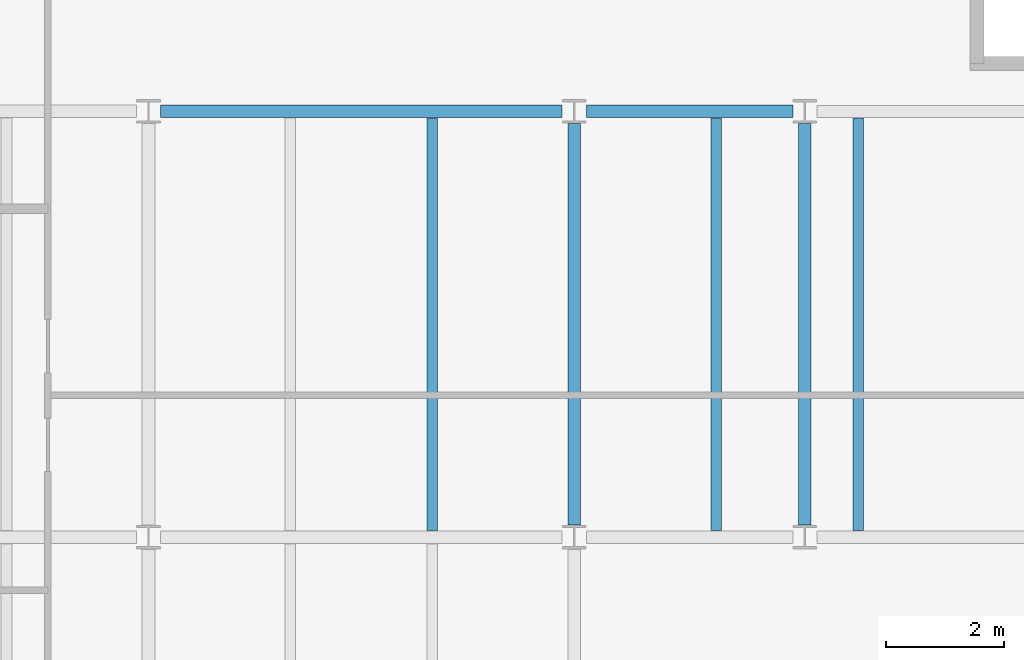
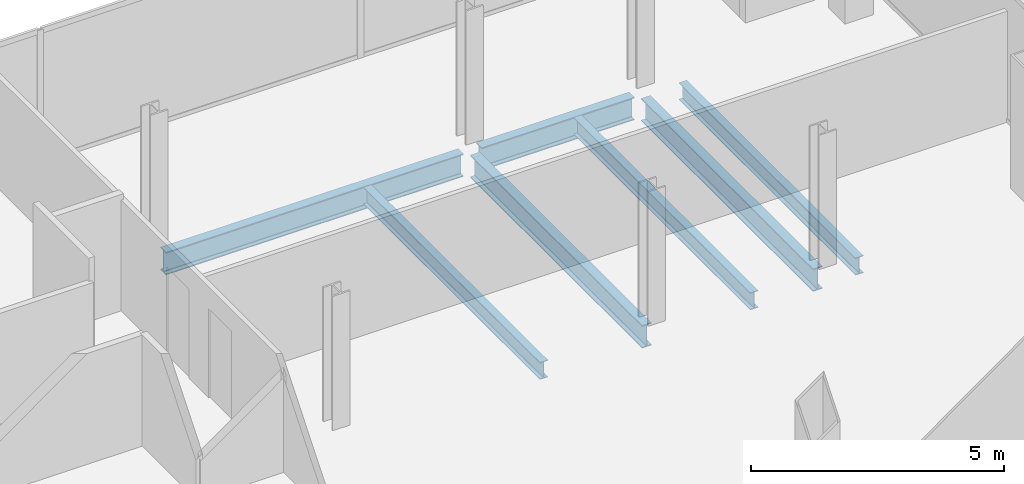
# One storey, part 15 of 23: 7 beams.
"""IFC4 building model written with IfcOpenShell, lengths in metres."""

from ifc_helpers import new_model, si_unit, direction, frame, origin, origin_2d, place, context, subcontext, project, spatial, i_section, extrude, material, material_profile, profile_set, type_object, element, save


model = new_model("IFC4")

# Units and contexts
model_context = context("Model", 3, precision=1e-05, world=origin(), true_north=direction((0.0, 1.0)))
body_context = subcontext(model_context, "Body", "Model", "MODEL_VIEW")
ifc_project = project(units=[si_unit("LENGTHUNIT", "METRE"), si_unit("AREAUNIT", "SQUARE_METRE"), si_unit("VOLUMEUNIT", "CUBIC_METRE"), si_unit("PLANEANGLEUNIT", "RADIAN"), si_unit("MASSUNIT", "GRAM", prefix="KILO")], contexts=[model_context])

# Site, building, storey
site_placement = place(None, origin())
site = spatial("IfcSite", under=ifc_project, at=site_placement, CompositionType="ELEMENT")
building_placement = place(site_placement, origin())
building = spatial("IfcBuilding", under=site, at=building_placement, Name="Cobrela Telecom Tower", CompositionType="ELEMENT")
storey_placement = place(building_placement, frame((0.0, 0.0, 283.14990234375)))
storey = spatial("IfcBuildingStorey", under=building, at=storey_placement, Name="L74", CompositionType="ELEMENT", Elevation=283.14990234375)

# Beams
ifc_material = material(Name="Steel ASTM A992 Grade 50", Category="steel")
ifc_material_profile_1 = material_profile(ifc_material, i_section(OverallWidth=0.212890625, OverallDepth=0.549072265625, WebThickness=0.0146484375, FlangeThickness=0.023681640625, FilletRadius=0.013916015625, at=origin_2d()), Name="W21X93")
ifc_profile_set_1 = profile_set([ifc_material_profile_1], Name="Steel ASTM A992 Grade 50")
beam_type_1 = type_object("IfcBeamType", Name="BM-GIRD-08", PredefinedType="USERDEFINED", material=ifc_profile_set_1)
beam_1_placement = place(storey_placement, frame((29.00439453125, 21.60009765625, -0.534423828125), z_axis=(1.0, 0.0, 0.0), x_axis=(0.0, 1.0, 0.0)))
element("IfcBeam", 1, at=beam_1_placement, inside=storey, type_object=beam_type_1, Name="L74 Primary Girder X12", ObjectType="GIRDER", PredefinedType="USERDEFINED", context=body_context, shape_type="SweptSolid", body=[
    extrude(i_section(OverallWidth=0.212890625, OverallDepth=0.549072265625, WebThickness=0.0146484375, FlangeThickness=0.023681640625, FilletRadius=0.013916015625, at=origin_2d()), origin(), (0.0, 0.0, 1.0), 6.791015625),
])
beam_2_placement = place(storey_placement, frame((36.20458984375, 21.60009765625, -0.534423828125), z_axis=(1.0, 0.0, 0.0), x_axis=(0.0, 1.0, 0.0)))
element("IfcBeam", 2, at=beam_2_placement, inside=storey, type_object=beam_type_1, Name="L74 Primary Girder X13", ObjectType="GIRDER", PredefinedType="USERDEFINED", context=body_context, shape_type="SweptSolid", body=[
    extrude(i_section(OverallWidth=0.212890625, OverallDepth=0.549072265625, WebThickness=0.0146484375, FlangeThickness=0.023681640625, FilletRadius=0.013916015625, at=origin_2d()), origin(), (0.0, 0.0, 1.0), 3.490966796875),
])
for number, where, z_axis, x_axis, name in (
    (3, (36.0, 14.6044921875, -0.534423828125), (0.0, 1.0, 0.0), (-1.0, 0.0, 0.0), "L74 Primary Girder Y32"),
    (4, (39.89990234375, 14.6044921875, -0.534423828125), (0.0, 1.0, 0.0), (-1.0, 0.0, 0.0), "L74 Primary Girder Y33"),
):
    element("IfcBeam", number, at=place(storey_placement, frame(where, z_axis=z_axis, x_axis=x_axis)), inside=storey, type_object=beam_type_1, Name=name, ObjectType="GIRDER", PredefinedType="USERDEFINED", context=body_context, shape_type="SweptSolid", body=[
        extrude(i_section(OverallWidth=0.212890625, OverallDepth=0.549072265625, WebThickness=0.0146484375, FlangeThickness=0.023681640625, FilletRadius=0.013916015625, at=origin_2d()), origin(), (0.0, 0.0, 1.0), 6.791015625),
    ])
ifc_material_profile_2 = material_profile(ifc_material, i_section(OverallWidth=0.179931640625, OverallDepth=0.4169921875, WebThickness=0.010986328125, FlangeThickness=0.01806640625, FilletRadius=0.011962890625, at=origin_2d()), Name="W16X57")
ifc_profile_set_2 = profile_set([ifc_material_profile_2], Name="Steel ASTM A992 Grade 50")
beam_type_2 = type_object("IfcBeamType", Name="BM-JOIST-04", PredefinedType="JOIST", material=ifc_profile_set_2)
for number, where, z_axis, x_axis, name in (
    (5, (33.60009765625, 14.511474609375, -0.468505859375), (0.0, 1.0, 0.0), (-1.0, 0.0, 0.0), "L74 Secondary Composite Floor Beam J14"),
    (6, (38.39990234375, 14.511474609375, -0.468505859375), (0.0, 1.0, 0.0), (-1.0, 0.0, 0.0), "L74 Secondary Composite Floor Beam J15"),
):
    element("IfcBeam", number, at=place(storey_placement, frame(where, z_axis=z_axis, x_axis=x_axis)), inside=storey, type_object=beam_type_2, Name=name, PredefinedType="JOIST", context=body_context, shape_type="SweptSolid", body=[
        extrude(i_section(OverallWidth=0.179931640625, OverallDepth=0.4169921875, WebThickness=0.010986328125, FlangeThickness=0.01806640625, FilletRadius=0.011962890625, at=origin_2d()), origin(), (0.0, 0.0, 1.0), 6.97705078125),
    ])
beam_3_placement = place(storey_placement, frame((40.800048828125, 14.511474609375, -0.468505859375), z_axis=(0.0, 1.0, 0.0), x_axis=(-1.0, 0.0, 0.0)))
element("IfcBeam", 7, at=beam_3_placement, inside=storey, type_object=beam_type_2, Name="L74 Secondary Composite Floor Beam J16", PredefinedType="JOIST", context=body_context, shape_type="SweptSolid", body=[
    extrude(i_section(OverallWidth=0.179931640625, OverallDepth=0.4169921875, WebThickness=0.010986328125, FlangeThickness=0.01806640625, FilletRadius=0.011962890625, at=origin_2d()), origin(), (0.0, 0.0, 1.0), 6.98095703125),
])

save(model, "model.ifc")
